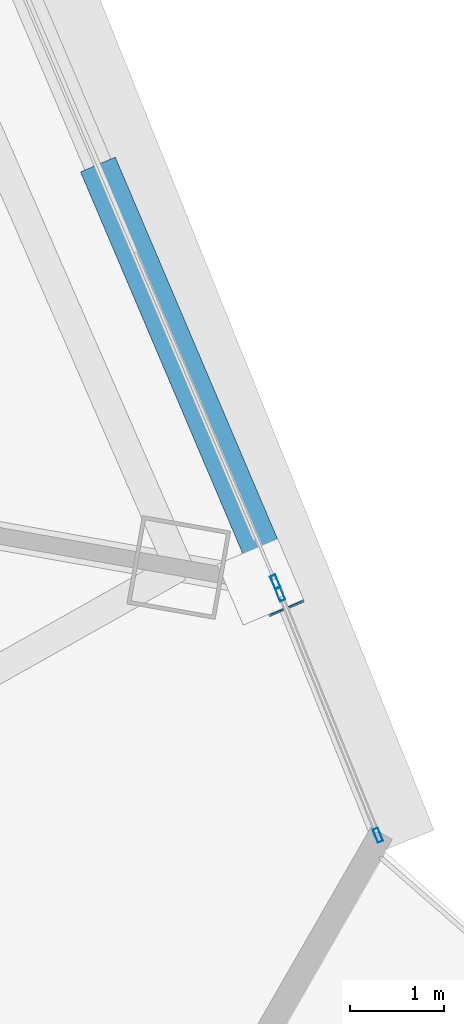
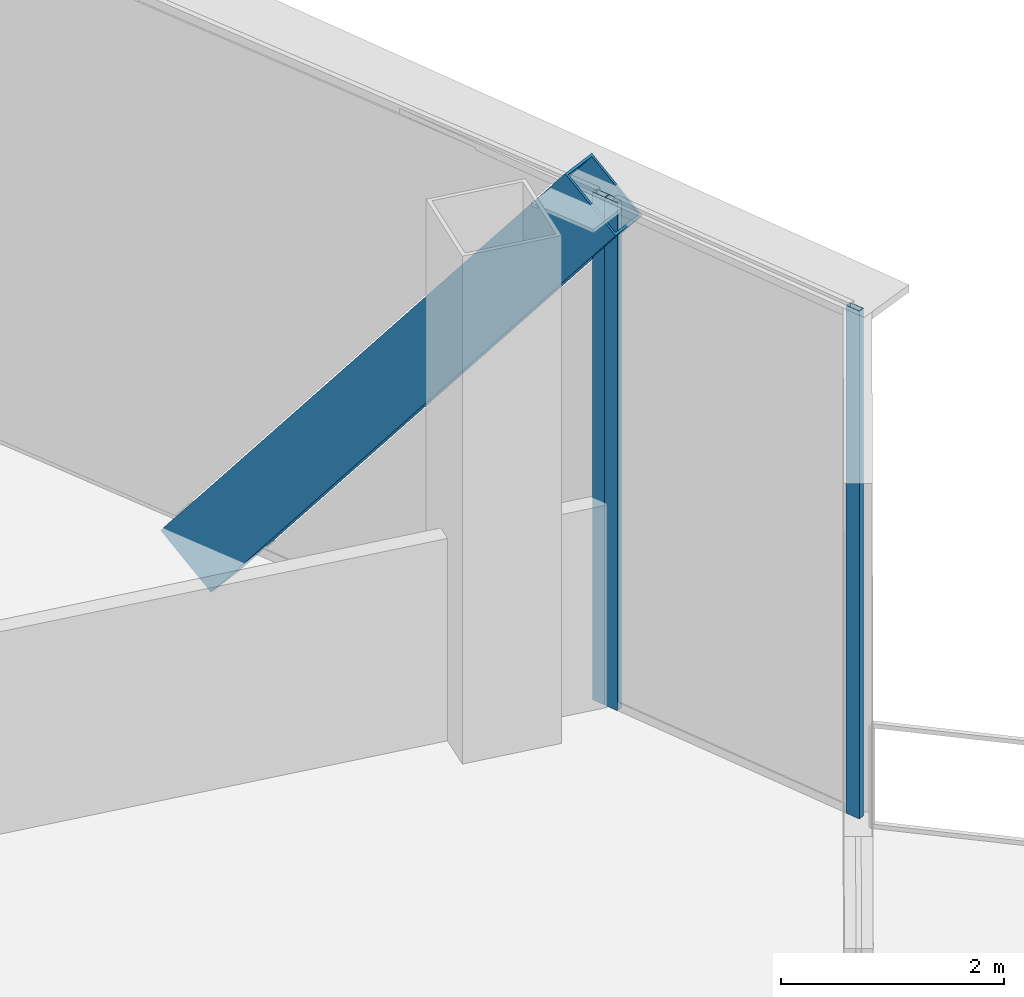
# One storey, part 26 of 40: 4 members, 2 elements without a shape of their own.
"""IFC4 building model written with IfcOpenShell, lengths in metres."""

from ifc_helpers import new_model, si_unit, direction, frame, origin, origin_2d, place, context, subcontext, project, spatial, hollow_rectangle, extrude, source, transform, mapped, material, layer, layer_set, material_profile, profile_set, type_object, element, aggregate, save


model = new_model("IFC4")

# Units and contexts
model_context = context("Model", 3, precision=1e-05, world=origin(), true_north=direction((0.0, 1.0)))
body_context = subcontext(model_context, "Body", "Model", "MODEL_VIEW")
ifc_project = project(units=[si_unit("LENGTHUNIT", "METRE"), si_unit("AREAUNIT", "SQUARE_METRE"), si_unit("VOLUMEUNIT", "CUBIC_METRE"), si_unit("PLANEANGLEUNIT", "RADIAN"), si_unit("MASSUNIT", "GRAM", prefix="KILO"), si_unit("THERMODYNAMICTEMPERATUREUNIT", "KELVIN"), si_unit("POWERUNIT", "WATT")], contexts=[model_context])

# Site, building, storey
site_placement = place(None, origin())
site = spatial("IfcSite", under=ifc_project, at=site_placement, CompositionType="ELEMENT")
building_placement = place(site_placement, origin())
building = spatial("IfcBuilding", under=site, at=building_placement, Name="Yunzhuo Pagoda Commons", CompositionType="ELEMENT")
storey_placement = place(building_placement, frame((0.0, 0.0, 170.31005859375)))
storey = spatial("IfcBuildingStorey", under=building, at=storey_placement, Name="L43", CompositionType="ELEMENT", Elevation=170.31005859375)

# Member
ifc_material_1 = material(Name="Structural steel Q355B", Category="steel")
ifc_material_profile_1 = material_profile(ifc_material_1, hollow_rectangle(XDim=0.39990234375, YDim=0.719970703125, WallThickness=0.02392578125, at=origin_2d()), Name="Structural steel Q355B")
ifc_profile_set_1 = profile_set([ifc_material_profile_1], Name="Structural steel Q355B")
member_type_1 = type_object("IfcMemberType", Name="M-DL2 Brace BOX 720x400x24", PredefinedType="BRACE", material=ifc_profile_set_1)
shared_shape_1 = source(origin(), body_context, "Body", "SweptSolid", [
    extrude(hollow_rectangle(XDim=0.39990234375, YDim=0.719970703125, WallThickness=0.02392578125, at=origin_2d()), origin(), (0.0, 0.0, 1.0), 7.39501953125),
])
member_1_placement = place(storey_placement, frame((84.251953125, 31.181640625, -0.260009765625), z_axis=(0.240603712606, -0.566250669404, 0.788333706548), x_axis=(0.920361821441, 0.391067919465, 0.0)))
element("IfcMember", 1, at=member_1_placement, inside=storey, type_object=member_type_1, Name="L43 facade diamond brace F2.1L", PredefinedType="BRACE", context=body_context, shape_type="MappedRepresentation", body=[
    mapped(shared_shape_1, transform((0.0, 0.0, 0.0), scale=1.0)),
])

# Curtain wall, member
ifc_material_2 = material(Name="Anodized aluminium 6063-T6", Category="aluminium")
ifc_layer = layer(ifc_material_2, 0.14990234375)
ifc_layer_set = layer_set([ifc_layer], Name="Anodized aluminium 6063-T6")
curtain_wall_type = type_object("IfcCurtainWallType", Name="CW-MID Mid-Zone Ribbon Curtain Wall", PredefinedType="NOTDEFINED", material=ifc_layer_set)
curtain_wall_1_placement = place(storey_placement, origin())
curtain_wall_1 = element("IfcCurtainWall", 2, at=curtain_wall_1_placement, inside=storey, type_object=curtain_wall_type, Name="L43 curtain wall CW-L43-F2B2", PredefinedType="NOTDEFINED")
ifc_material_profile_2 = material_profile(ifc_material_2, hollow_rectangle(XDim=0.06005859375, YDim=0.14990234375, WallThickness=0.00390625, at=origin_2d()), Name="Anodized aluminium 6063-T6")
ifc_profile_set_2 = profile_set([ifc_material_profile_2], Name="Anodized aluminium 6063-T6")
member_type_2 = type_object("IfcMemberType", Name="CW-MID-M Mullion RHS 150x60x4", PredefinedType="MULLION", material=ifc_profile_set_2)
shared_shape_2 = source(origin(), body_context, "Body", "SweptSolid", [
    extrude(hollow_rectangle(XDim=0.06005859375, YDim=0.14990234375, WallThickness=0.00390625, at=origin_2d()), origin(), (0.0, 0.0, 1.0), 5.56982421875),
])
member_2_placement = place(storey_placement, frame((86.01953125, 27.02197265625, 0.0), z_axis=(0.0, 0.0, 1.0), x_axis=(-0.920363798122, -0.391063267395, 0.0)))
member_2 = element("IfcMember", 3, at=member_2_placement, type_object=member_type_2, Name="CW mullion 1", PredefinedType="MULLION", context=body_context, shape_type="MappedRepresentation", body=[
    mapped(shared_shape_2, transform((0.0, 0.0, 0.0), scale=1.0)),
])
aggregate(curtain_wall_1, [member_2])

# Curtain wall, members
curtain_wall_2_placement = place(storey_placement, origin())
curtain_wall_2 = element("IfcCurtainWall", 4, at=curtain_wall_2_placement, inside=storey, type_object=curtain_wall_type, Name="L43 curtain wall CW-L43-F2B1", PredefinedType="NOTDEFINED")
member_3_placement = place(storey_placement, frame((87.105224609375, 24.342041015625, 0.0), z_axis=(0.0, 0.0, 1.0), x_axis=(-0.926896232527, -0.375317697594, 0.0)))
member_3 = element("IfcMember", 5, at=member_3_placement, type_object=member_type_2, Name="CW mullion 1", PredefinedType="MULLION", context=body_context, shape_type="MappedRepresentation", body=[
    mapped(shared_shape_2, transform((0.0, 0.0, 0.0), scale=1.0)),
])
member_4_placement = place(storey_placement, frame((86.070556640625, 26.89697265625, 0.0), z_axis=(0.0, 0.0, 1.0), x_axis=(-0.926896232527, -0.375317697594, 0.0)))
member_4 = element("IfcMember", 6, at=member_4_placement, type_object=member_type_2, Name="CW mullion 2", PredefinedType="MULLION", context=body_context, shape_type="MappedRepresentation", body=[
    mapped(shared_shape_2, transform((0.0, 0.0, 0.0), scale=1.0)),
])
aggregate(curtain_wall_2, [member_3, member_4])

save(model, "model.ifc")
